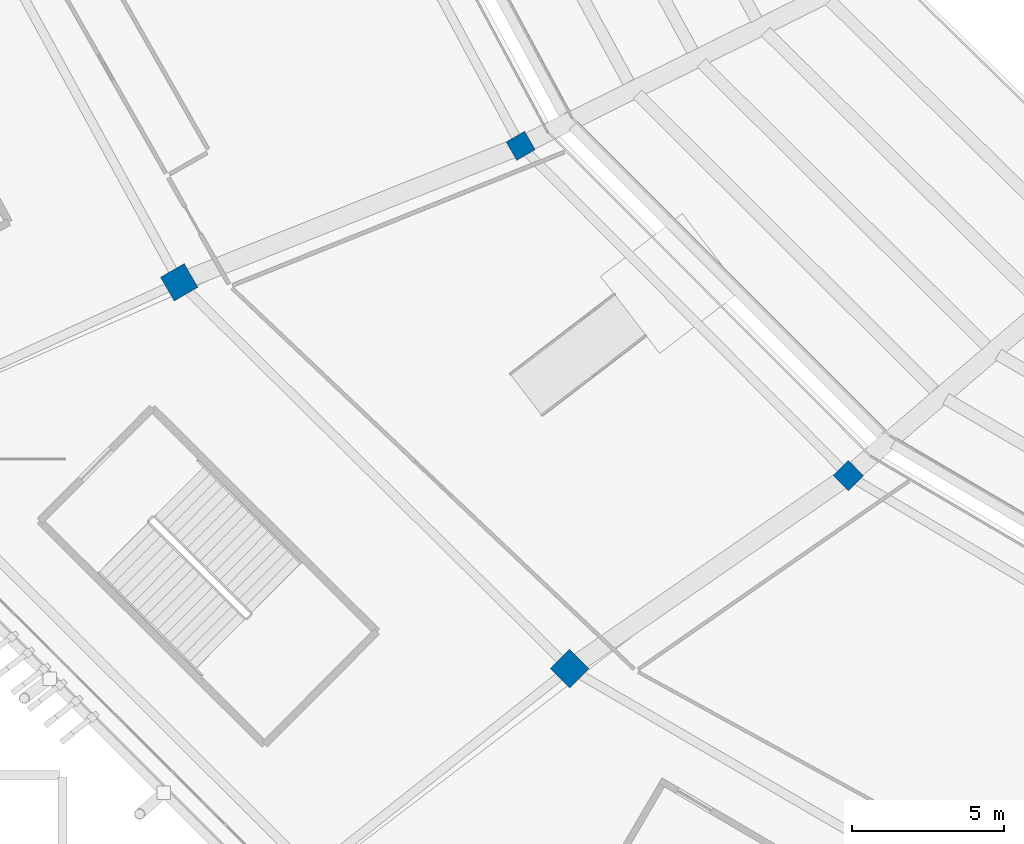
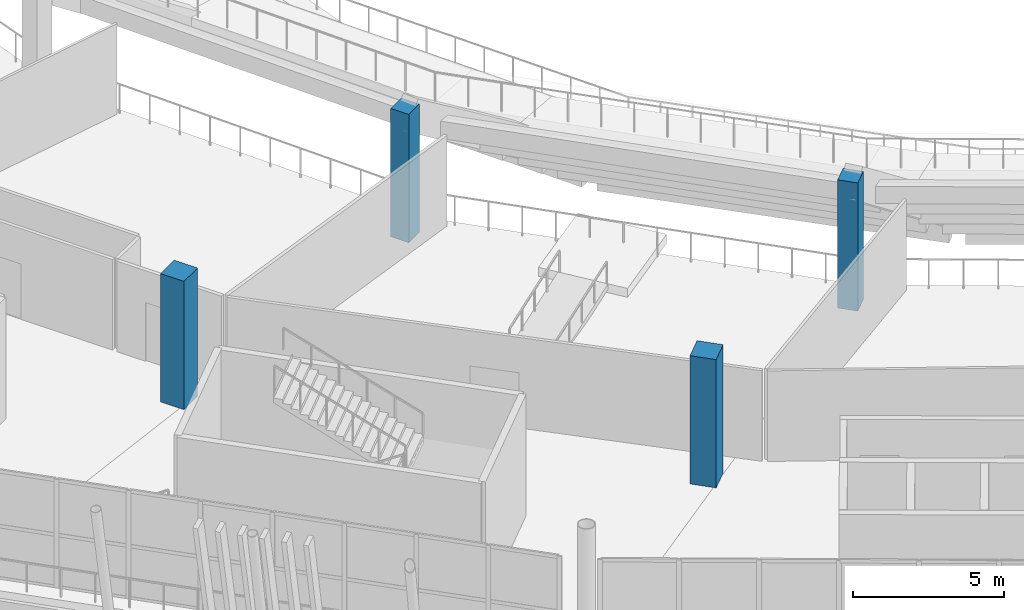
# One storey, part 3 of 178: 4 columns.
"""IFC4 building model written with IfcOpenShell, lengths in metres."""

from ifc_helpers import new_model, si_unit, direction, frame, origin, origin_2d, place, context, subcontext, project, spatial, rectangle, extrude, material, material_profile, profile_set, type_object, element, save


model = new_model("IFC4")

# Units and contexts
model_context = context("Model", 3, precision=1e-05, world=origin(), true_north=direction((0.0, 1.0)))
body_context = subcontext(model_context, "Body", "Model", "MODEL_VIEW")
ifc_project = project(units=[si_unit("LENGTHUNIT", "METRE"), si_unit("AREAUNIT", "SQUARE_METRE"), si_unit("VOLUMEUNIT", "CUBIC_METRE"), si_unit("PLANEANGLEUNIT", "RADIAN"), si_unit("MASSUNIT", "GRAM", prefix="KILO")], contexts=[model_context])

# Site, building, storey
site_placement = place(None, origin())
site = spatial("IfcSite", under=ifc_project, at=site_placement, CompositionType="ELEMENT")
building_placement = place(site_placement, origin())
building = spatial("IfcBuilding", under=site, at=building_placement, Name="Zlatoyarsky Gate Stadium", CompositionType="ELEMENT")
storey_placement = place(building_placement, frame((0.0, 0.0, 5.39990234375)))
storey = spatial("IfcBuildingStorey", under=building, at=storey_placement, Name="L01", CompositionType="ELEMENT", Elevation=5.39990234375)

# Columns
ifc_material = material(Name="Concrete C40/50", Category="concrete")
ifc_material_profile_1 = material_profile(ifc_material, rectangle(XDim=0.699951171875, YDim=0.699951171875, at=origin_2d()), Name="RC COL 700X700")
ifc_profile_set_1 = profile_set([ifc_material_profile_1], Name="Concrete C40/50")
column_type_1 = type_object("IfcColumnType", Name="CONCRETE COLUMN 700X700", PredefinedType="COLUMN", material=ifc_profile_set_1)
for number, where, z_axis, x_axis, name in (
    (1, (52.1103515625, 53.75, 0.0), (0.0, 0.0, 1.0), (-0.866025403784, -0.5, 0.0), "Column RC-C70 RA-14 on L01"),
    (2, (62.916748046875, 42.876953125, 0.0), (0.0, 0.0, 1.0), (-0.707106781187, -0.707106781187, 0.0), "Column RC-C70 RA-15 on L01"),
):
    element("IfcColumn", number, at=place(storey_placement, frame(where, z_axis=z_axis, x_axis=x_axis)), inside=storey, type_object=column_type_1, Name=name, PredefinedType="COLUMN", context=body_context, shape_type="SweptSolid", body=[
        extrude(rectangle(XDim=0.699951171875, YDim=0.699951171875, at=origin_2d()), origin(), (0.0, 0.0, 1.0), 5.2001953125),
    ])
ifc_material_profile_2 = material_profile(ifc_material, rectangle(XDim=0.89990234375, YDim=0.89990234375, at=origin_2d()), Name="RC COL 900X900")
ifc_profile_set_2 = profile_set([ifc_material_profile_2], Name="Concrete C40/50")
column_type_2 = type_object("IfcColumnType", Name="CONCRETE COLUMN 900X900", PredefinedType="COLUMN", material=ifc_profile_set_2)
for number, where, z_axis, x_axis, name in (
    (3, (40.851806640625, 49.25, 0.0), (0.0, 0.0, 1.0), (-0.866025403784, -0.5, 0.0), "Column RC-C90 RB-14 on L01"),
    (4, (53.724365234375, 36.512939453125, 0.0), (0.0, 0.0, 1.0), (-0.707106781187, -0.707106781187, 0.0), "Column RC-C90 RB-15 on L01"),
):
    element("IfcColumn", number, at=place(storey_placement, frame(where, z_axis=z_axis, x_axis=x_axis)), inside=storey, type_object=column_type_2, Name=name, PredefinedType="COLUMN", context=body_context, shape_type="SweptSolid", body=[
        extrude(rectangle(XDim=0.89990234375, YDim=0.89990234375, at=origin_2d()), origin(), (0.0, 0.0, 1.0), 5.2001953125),
    ])

save(model, "model.ifc")
